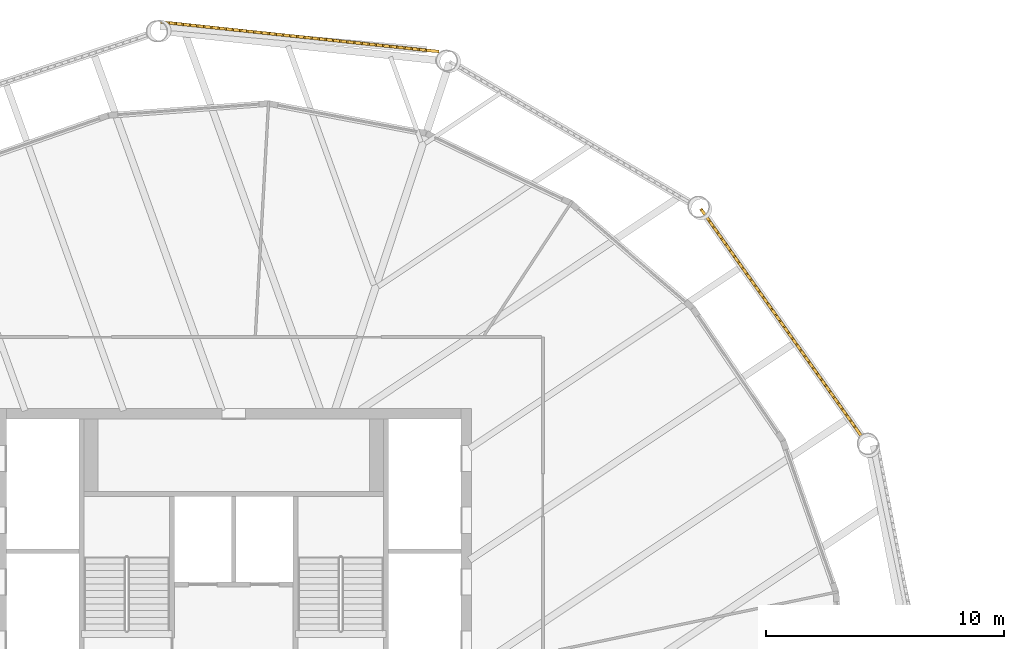
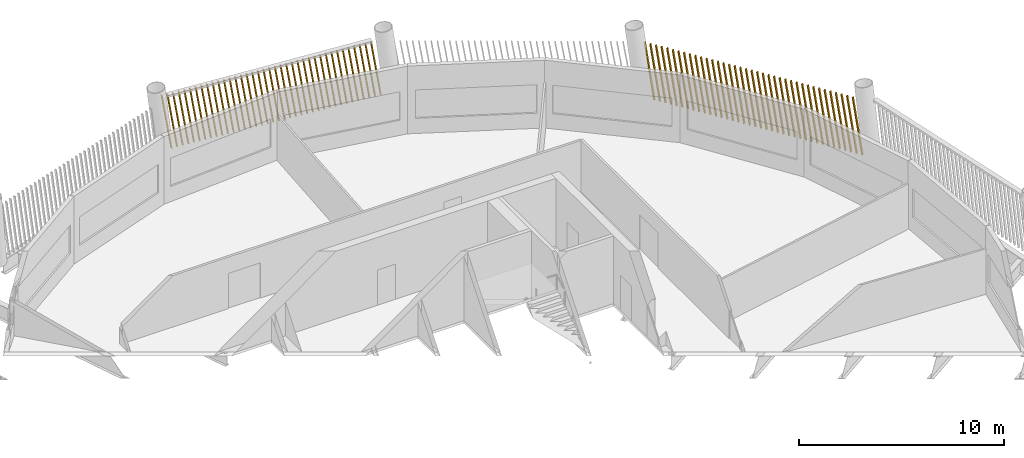
# One storey, part 27 of 28: 2 shading devices.
"""IFC4 building model written with IfcOpenShell, lengths in metres."""

from ifc_helpers import new_model, si_unit, direction, frame, frame_2d, origin, place, context, subcontext, project, spatial, rectangle, composite_profile, extrude, material, type_object, element, save


model = new_model("IFC4")

# Units and contexts
model_context = context("Model", 3, precision=1e-05, world=origin(), true_north=direction((0.0, 1.0)))
body_context = subcontext(model_context, "Body", "Model", "MODEL_VIEW")
ifc_project = project(units=[si_unit("LENGTHUNIT", "METRE"), si_unit("AREAUNIT", "SQUARE_METRE"), si_unit("VOLUMEUNIT", "CUBIC_METRE"), si_unit("PLANEANGLEUNIT", "RADIAN"), si_unit("MASSUNIT", "GRAM", prefix="KILO")], contexts=[model_context])

# Site, building, storey
site_placement = place(None, origin())
site = spatial("IfcSite", under=ifc_project, at=site_placement, CompositionType="ELEMENT")
building_placement = place(site_placement, origin())
building = spatial("IfcBuilding", under=site, at=building_placement, Name="Tarsis Ring Headquarters", CompositionType="ELEMENT")
storey_placement = place(building_placement, frame((0.0, 0.0, 365.0)))
storey = spatial("IfcBuildingStorey", under=building, at=storey_placement, Name="L86", CompositionType="ELEMENT", Elevation=365.0)

# Shading devices
ifc_material = material(Name="Terracotta baguette", Category="masonry")
shading_device_type = type_object("IfcShadingDeviceType", Name="Terracotta baguette screen", PredefinedType="USERDEFINED", material=ifc_material)
shading_device_1_placement = place(storey_placement, frame((26.435791015625, 11.79345703125, 0.0), z_axis=(0.0, 0.0, 1.0), x_axis=(-0.577080846446, 0.816690179056, 0.0)))
element("IfcShadingDevice", 1, at=shading_device_1_placement, inside=storey, type_object=shading_device_type, Name="Baguette screen L86-07", ObjectType="Terracotta baguette screen", PredefinedType="USERDEFINED", context=body_context, shape_type="SweptSolid", body=[
    extrude(composite_profile([rectangle(XDim=0.06005859375, YDim=0.1201171875, at=frame_2d((0.030029296875, 0.0))), rectangle(XDim=0.06005859375, YDim=0.1201171875, at=frame_2d((0.33251953125, 0.0))), rectangle(XDim=0.06005859375, YDim=0.1201171875, at=frame_2d((0.634765625, 0.0))), rectangle(XDim=0.06005859375, YDim=0.1201171875, at=frame_2d((0.937255859375, 0.0))), rectangle(XDim=0.06005859375, YDim=0.1201171875, at=frame_2d((1.239501953125, 0.0))), rectangle(XDim=0.06005859375, YDim=0.1201171875, at=frame_2d((1.5419921875, 0.0))), rectangle(XDim=0.06005859375, YDim=0.1201171875, at=frame_2d((1.844482421875, 0.0))), rectangle(XDim=0.06005859375, YDim=0.1201171875, at=frame_2d((2.146728515625, 0.0))), rectangle(XDim=0.06005859375, YDim=0.1201171875, at=frame_2d((2.44921875, 0.0))), rectangle(XDim=0.06005859375, YDim=0.1201171875, at=frame_2d((2.751708984375, 0.0))), rectangle(XDim=0.06005859375, YDim=0.1201171875, at=frame_2d((3.053955078125, 0.0))), rectangle(XDim=0.06005859375, YDim=0.1201171875, at=frame_2d((3.3564453125, 0.0))), rectangle(XDim=0.06005859375, YDim=0.1201171875, at=frame_2d((3.65869140625, 0.0))), rectangle(XDim=0.06005859375, YDim=0.1201171875, at=frame_2d((3.961181640625, 0.0))), rectangle(XDim=0.06005859375, YDim=0.1201171875, at=frame_2d((4.263671875, 0.0))), rectangle(XDim=0.06005859375, YDim=0.1201171875, at=frame_2d((4.56591796875, 0.0))), rectangle(XDim=0.06005859375, YDim=0.1201171875, at=frame_2d((4.868408203125, 0.0))), rectangle(XDim=0.06005859375, YDim=0.1201171875, at=frame_2d((5.1708984375, 0.0))), rectangle(XDim=0.06005859375, YDim=0.1201171875, at=frame_2d((5.47314453125, 0.0))), rectangle(XDim=0.06005859375, YDim=0.1201171875, at=frame_2d((5.775634765625, 0.0))), rectangle(XDim=0.06005859375, YDim=0.1201171875, at=frame_2d((6.077880859375, 0.0))), rectangle(XDim=0.06005859375, YDim=0.1201171875, at=frame_2d((6.38037109375, 0.0))), rectangle(XDim=0.06005859375, YDim=0.1201171875, at=frame_2d((6.682861328125, 0.0))), rectangle(XDim=0.06005859375, YDim=0.1201171875, at=frame_2d((6.985107421875, 0.0))), rectangle(XDim=0.06005859375, YDim=0.1201171875, at=frame_2d((7.28759765625, 0.0))), rectangle(XDim=0.06005859375, YDim=0.1201171875, at=frame_2d((7.590087890625, 0.0))), rectangle(XDim=0.06005859375, YDim=0.1201171875, at=frame_2d((7.892333984375, 0.0))), rectangle(XDim=0.06005859375, YDim=0.1201171875, at=frame_2d((8.19482421875, 0.0))), rectangle(XDim=0.06005859375, YDim=0.1201171875, at=frame_2d((8.4970703125, 0.0))), rectangle(XDim=0.06005859375, YDim=0.1201171875, at=frame_2d((8.799560546875, 0.0))), rectangle(XDim=0.06005859375, YDim=0.1201171875, at=frame_2d((9.10205078125, 0.0))), rectangle(XDim=0.06005859375, YDim=0.1201171875, at=frame_2d((9.404296875, 0.0))), rectangle(XDim=0.06005859375, YDim=0.1201171875, at=frame_2d((9.706787109375, 0.0))), rectangle(XDim=0.06005859375, YDim=0.1201171875, at=frame_2d((10.00927734375, 0.0))), rectangle(XDim=0.06005859375, YDim=0.1201171875, at=frame_2d((10.3115234375, 0.0))), rectangle(XDim=0.06005859375, YDim=0.1201171875, at=frame_2d((10.614013671875, 0.0))), rectangle(XDim=0.06005859375, YDim=0.1201171875, at=frame_2d((10.916259765625, 0.0))), rectangle(XDim=0.06005859375, YDim=0.1201171875, at=frame_2d((11.21875, 0.0)))]), origin(), (0.155203402029, 0.001410738814, 0.987881528228), 3.32080078125),
])
shading_device_2_placement = place(storey_placement, frame((8.634521484375, 28.0146484375, 0.0), z_axis=(0.0, 0.0, 1.0), x_axis=(-0.994400434075, 0.105718936517, 0.0)))
element("IfcShadingDevice", 2, at=shading_device_2_placement, inside=storey, type_object=shading_device_type, Name="Baguette screen L86-09", ObjectType="Terracotta baguette screen", PredefinedType="USERDEFINED", context=body_context, shape_type="SweptSolid", body=[
    extrude(composite_profile([rectangle(XDim=0.06005859375, YDim=0.1201171875, at=frame_2d((0.030029296875, 0.0))), rectangle(XDim=0.06005859375, YDim=0.1201171875, at=frame_2d((0.33251953125, 0.0))), rectangle(XDim=0.06005859375, YDim=0.1201171875, at=frame_2d((0.634765625, 0.0))), rectangle(XDim=0.06005859375, YDim=0.1201171875, at=frame_2d((0.937255859375, 0.0))), rectangle(XDim=0.06005859375, YDim=0.1201171875, at=frame_2d((1.239501953125, 0.0))), rectangle(XDim=0.06005859375, YDim=0.1201171875, at=frame_2d((1.5419921875, 0.0))), rectangle(XDim=0.06005859375, YDim=0.1201171875, at=frame_2d((1.844482421875, 0.0))), rectangle(XDim=0.06005859375, YDim=0.1201171875, at=frame_2d((2.146728515625, 0.0))), rectangle(XDim=0.06005859375, YDim=0.1201171875, at=frame_2d((2.44921875, 0.0))), rectangle(XDim=0.06005859375, YDim=0.1201171875, at=frame_2d((2.751708984375, 0.0))), rectangle(XDim=0.06005859375, YDim=0.1201171875, at=frame_2d((3.053955078125, 0.0))), rectangle(XDim=0.06005859375, YDim=0.1201171875, at=frame_2d((3.3564453125, 0.0))), rectangle(XDim=0.06005859375, YDim=0.1201171875, at=frame_2d((3.65869140625, 0.0))), rectangle(XDim=0.06005859375, YDim=0.1201171875, at=frame_2d((3.961181640625, 0.0))), rectangle(XDim=0.06005859375, YDim=0.1201171875, at=frame_2d((4.263671875, 0.0))), rectangle(XDim=0.06005859375, YDim=0.1201171875, at=frame_2d((4.56591796875, 0.0))), rectangle(XDim=0.06005859375, YDim=0.1201171875, at=frame_2d((4.868408203125, 0.0))), rectangle(XDim=0.06005859375, YDim=0.1201171875, at=frame_2d((5.1708984375, 0.0))), rectangle(XDim=0.06005859375, YDim=0.1201171875, at=frame_2d((5.47314453125, 0.0))), rectangle(XDim=0.06005859375, YDim=0.1201171875, at=frame_2d((5.775634765625, 0.0))), rectangle(XDim=0.06005859375, YDim=0.1201171875, at=frame_2d((6.077880859375, 0.0))), rectangle(XDim=0.06005859375, YDim=0.1201171875, at=frame_2d((6.38037109375, 0.0))), rectangle(XDim=0.06005859375, YDim=0.1201171875, at=frame_2d((6.682861328125, 0.0))), rectangle(XDim=0.06005859375, YDim=0.1201171875, at=frame_2d((6.985107421875, 0.0))), rectangle(XDim=0.06005859375, YDim=0.1201171875, at=frame_2d((7.28759765625, 0.0))), rectangle(XDim=0.06005859375, YDim=0.1201171875, at=frame_2d((7.590087890625, 0.0))), rectangle(XDim=0.06005859375, YDim=0.1201171875, at=frame_2d((7.892333984375, 0.0))), rectangle(XDim=0.06005859375, YDim=0.1201171875, at=frame_2d((8.19482421875, 0.0))), rectangle(XDim=0.06005859375, YDim=0.1201171875, at=frame_2d((8.4970703125, 0.0))), rectangle(XDim=0.06005859375, YDim=0.1201171875, at=frame_2d((8.799560546875, 0.0))), rectangle(XDim=0.06005859375, YDim=0.1201171875, at=frame_2d((9.10205078125, 0.0))), rectangle(XDim=0.06005859375, YDim=0.1201171875, at=frame_2d((9.404296875, 0.0))), rectangle(XDim=0.06005859375, YDim=0.1201171875, at=frame_2d((9.706787109375, 0.0))), rectangle(XDim=0.06005859375, YDim=0.1201171875, at=frame_2d((10.00927734375, 0.0))), rectangle(XDim=0.06005859375, YDim=0.1201171875, at=frame_2d((10.3115234375, 0.0))), rectangle(XDim=0.06005859375, YDim=0.1201171875, at=frame_2d((10.614013671875, 0.0))), rectangle(XDim=0.06005859375, YDim=0.1201171875, at=frame_2d((10.916259765625, 0.0))), rectangle(XDim=0.06005859375, YDim=0.1201171875, at=frame_2d((11.21875, 0.0)))]), origin(), (0.157202752466, 0.001426172495, 0.987565319687), 3.32177734375),
])

save(model, "model.ifc")
